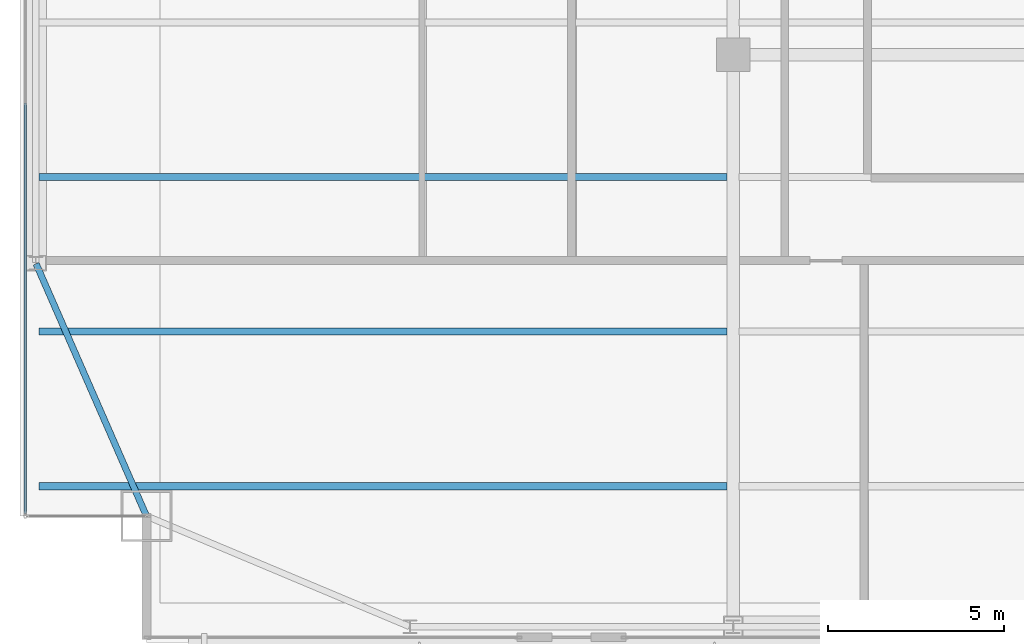
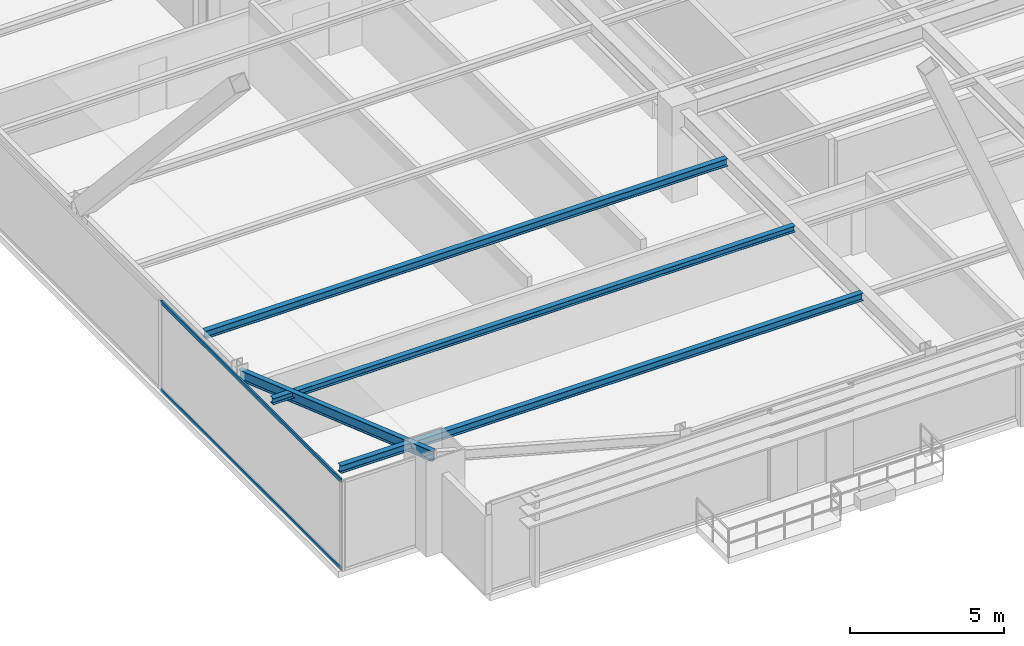
# One storey, part 5 of 37: 4 beams, 2 members, 1 element without a shape of its own.
"""IFC4 building model written with IfcOpenShell, lengths in metres."""

from ifc_helpers import new_model, si_unit, direction, frame, origin, origin_2d, place, context, subcontext, project, spatial, hollow_rectangle, i_section, extrude, source, transform, mapped, material, layer, layer_set, material_profile, profile_set, type_object, type_shapes, element, aggregate, save


model = new_model("IFC4")

# Units and contexts
model_context = context("Model", 3, precision=1e-05, world=origin(), true_north=direction((0.0, 1.0)))
body_context = subcontext(model_context, "Body", "Model", "MODEL_VIEW")
ifc_project = project(units=[si_unit("LENGTHUNIT", "METRE"), si_unit("AREAUNIT", "SQUARE_METRE"), si_unit("VOLUMEUNIT", "CUBIC_METRE"), si_unit("PLANEANGLEUNIT", "RADIAN"), si_unit("MASSUNIT", "GRAM", prefix="KILO")], contexts=[model_context])

# Site, building, storey
site_placement = place(None, origin())
site = spatial("IfcSite", under=ifc_project, at=site_placement, CompositionType="ELEMENT")
building_placement = place(site_placement, origin())
building = spatial("IfcBuilding", under=site, at=building_placement, Name="Varnel Quay Broadcast Tower", CompositionType="ELEMENT")
storey_placement = place(building_placement, frame((0.0, 0.0, 125.800048828125)))
storey = spatial("IfcBuildingStorey", under=building, at=storey_placement, Name="L30", CompositionType="ELEMENT", Elevation=125.800048828125)

# Beams
ifc_material_1 = material(Name="Structural Steel CSA G40.21 350W", Category="steel")
ifc_material_profile_1 = material_profile(ifc_material_1, i_section(OverallWidth=0.180908203125, OverallDepth=0.4169921875, WebThickness=0.010986328125, FlangeThickness=0.018310546875, FilletRadius=0.011962890625, at=origin_2d()), Name="W410X85")
ifc_profile_set_1 = profile_set([ifc_material_profile_1], Name="Structural Steel CSA G40.21 350W")
beam_type_1 = type_object("IfcBeamType", Name="Beam_W410X85", PredefinedType="SPANDREL", material=ifc_profile_set_1)
shared_shape_1 = source(origin(), body_context, "Body", "SweptSolid", [
    extrude(i_section(OverallWidth=0.180908203125, OverallDepth=0.4169921875, WebThickness=0.010986328125, FlangeThickness=0.018310546875, FilletRadius=0.011962890625, at=origin_2d()), origin(), (0.0, 0.0, 1.0), 7.81884765625),
])
type_shapes(beam_type_1, [shared_shape_1])
beam_1_placement = place(storey_placement, frame((8.092041015625, 7.818359375, 3.341552734375), z_axis=(-0.400827023998, 0.916153751743, 0.0), x_axis=(-0.916153751743, -0.400827023998, 0.0)))
element("IfcBeam", 1, at=beam_1_placement, inside=storey, type_object=beam_type_1, Name="L30 West Spandrel MC-SW-TC-W1", PredefinedType="SPANDREL", context=body_context, shape_type="MappedRepresentation", body=[
    mapped(shared_shape_1, transform((0.0, 0.0, 0.0), x_axis=(1.0, 0.0, 0.0), y_axis=(0.0, 1.0, 0.0), z_axis=(0.0, 0.0, 1.0), scale=1.0)),
])
ifc_material_profile_2 = material_profile(ifc_material_1, i_section(OverallWidth=0.202880859375, OverallDepth=0.302978515625, WebThickness=0.007568359375, FlangeThickness=0.01318359375, FilletRadius=0.011962890625, at=origin_2d()), Name="W310X60")
ifc_profile_set_2 = profile_set([ifc_material_profile_2], Name="Structural Steel CSA G40.21 350W")
beam_type_2 = type_object("IfcBeamType", Name="Beam_W310X60", PredefinedType="JOIST", material=ifc_profile_set_2)
shared_shape_2 = source(origin(), body_context, "Body", "SweptSolid", [
    extrude(i_section(OverallWidth=0.202880859375, OverallDepth=0.302978515625, WebThickness=0.007568359375, FlangeThickness=0.01318359375, FilletRadius=0.011962890625, at=origin_2d()), origin(), (0.0, 0.0, 1.0), 19.592041015625),
])
type_shapes(beam_type_2, [shared_shape_2])
for number, where, z_axis, x_axis, name in (
    (2, (5.035400390625, 8.64990234375, 3.3984375), (1.0, 0.0, 0.0), (0.0, 1.0, 0.0), "L30 West Floor Joist 1"),
    (3, (5.035400390625, 17.449951171875, 3.3984375), (1.0, 0.0, 0.0), (0.0, 1.0, 0.0), "L30 West Floor Joist 3"),
):
    element("IfcBeam", number, at=place(storey_placement, frame(where, z_axis=z_axis, x_axis=x_axis)), inside=storey, type_object=beam_type_2, Name=name, PredefinedType="JOIST", context=body_context, shape_type="MappedRepresentation", body=[
        mapped(shared_shape_2, transform((0.0, 0.0, 0.0), x_axis=(1.0, 0.0, 0.0), y_axis=(0.0, 1.0, 0.0), z_axis=(0.0, 0.0, 1.0), scale=1.0)),
    ])
ifc_material_profile_3 = material_profile(ifc_material_1, i_section(OverallWidth=0.201904296875, OverallDepth=0.2470703125, WebThickness=0.00732421875, FlangeThickness=0.010986328125, FilletRadius=0.010986328125, at=origin_2d()), Name="W250X49")
ifc_profile_set_3 = profile_set([ifc_material_profile_3], Name="Structural Steel CSA G40.21 350W")
beam_type_3 = type_object("IfcBeamType", Name="Beam_W250X49", PredefinedType="JOIST", material=ifc_profile_set_3)
shared_shape_3 = source(origin(), body_context, "Body", "SweptSolid", [
    extrude(i_section(OverallWidth=0.201904296875, OverallDepth=0.2470703125, WebThickness=0.00732421875, FlangeThickness=0.010986328125, FilletRadius=0.010986328125, at=origin_2d()), origin(), (0.0, 0.0, 1.0), 19.592041015625),
])
type_shapes(beam_type_3, [shared_shape_3])
beam_2_placement = place(storey_placement, frame((5.035400390625, 13.050048828125, 3.426513671875), z_axis=(1.0, 0.0, 0.0), x_axis=(0.0, 1.0, 0.0)))
element("IfcBeam", 4, at=beam_2_placement, inside=storey, type_object=beam_type_3, Name="L30 West Floor Joist 2", PredefinedType="JOIST", context=body_context, shape_type="MappedRepresentation", body=[
    mapped(shared_shape_3, transform((0.0, 0.0, 0.0), x_axis=(1.0, 0.0, 0.0), y_axis=(0.0, 1.0, 0.0), z_axis=(0.0, 0.0, 1.0), scale=1.0)),
])

# Curtain wall, members
ifc_material_2 = material(Name="Anodised Bronze Aluminium 6063-T6", Category="aluminium")
ifc_layer = layer(ifc_material_2, 0.18994140625, Name="Anodised Bronze Aluminium 6063-T6")
ifc_layer_set = layer_set([ifc_layer], Name="Anodised Bronze Aluminium 6063-T6")
curtain_wall_type = type_object("IfcCurtainWallType", Name="CW_LowerTower", PredefinedType="NOTDEFINED", material=ifc_layer_set)
curtain_wall_placement = place(storey_placement, origin())
curtain_wall = element("IfcCurtainWall", 5, at=curtain_wall_placement, inside=storey, type_object=curtain_wall_type, Name="L30 West Unitised Curtain Wall", PredefinedType="NOTDEFINED")
ifc_material_profile_4 = material_profile(ifc_material_2, hollow_rectangle(XDim=0.06005859375, YDim=0.14501953125, WallThickness=0.00341796875, at=origin_2d()), Name="ALU60X145X3.5")
ifc_profile_set_4 = profile_set([ifc_material_profile_4], Name="Anodised Bronze Aluminium 6063-T6")
member_type = type_object("IfcMemberType", Name="Tran_CWS-02", PredefinedType="USERDEFINED", material=ifc_profile_set_4)
shared_shape_4 = source(origin(), body_context, "Body", "SweptSolid", [
    extrude(hollow_rectangle(XDim=0.06005859375, YDim=0.14501953125, WallThickness=0.00341796875, at=origin_2d()), origin(), (0.0, 0.0, 1.0), 11.69482421875),
])
type_shapes(member_type, [shared_shape_4])
member_1_placement = place(storey_placement, frame((4.64990234375, 7.8701171875, 0.030029296875), z_axis=(0.0, 1.0, 0.0), x_axis=(-1.0, 0.0, 0.0)))
member_1 = element("IfcMember", 6, at=member_1_placement, type_object=member_type, Name="CWS-02 transom 1.1", ObjectType="TRANSOM", PredefinedType="USERDEFINED", context=body_context, shape_type="MappedRepresentation", body=[
    mapped(shared_shape_4, transform((0.0, 0.0, 0.0), x_axis=(1.0, 0.0, 0.0), y_axis=(0.0, 1.0, 0.0), z_axis=(0.0, 0.0, 1.0), scale=1.0)),
])
member_2_placement = place(storey_placement, frame((4.64990234375, 7.8701171875, 3.52001953125), z_axis=(0.0, 1.0, 0.0), x_axis=(-1.0, 0.0, 0.0)))
member_2 = element("IfcMember", 7, at=member_2_placement, type_object=member_type, Name="CWS-02 transom 1.2", ObjectType="TRANSOM", PredefinedType="USERDEFINED", context=body_context, shape_type="MappedRepresentation", body=[
    mapped(shared_shape_4, transform((0.0, 0.0, 0.0), x_axis=(1.0, 0.0, 0.0), y_axis=(0.0, 1.0, 0.0), z_axis=(0.0, 0.0, 1.0), scale=1.0)),
])
aggregate(curtain_wall, [member_1, member_2])

save(model, "model.ifc")
